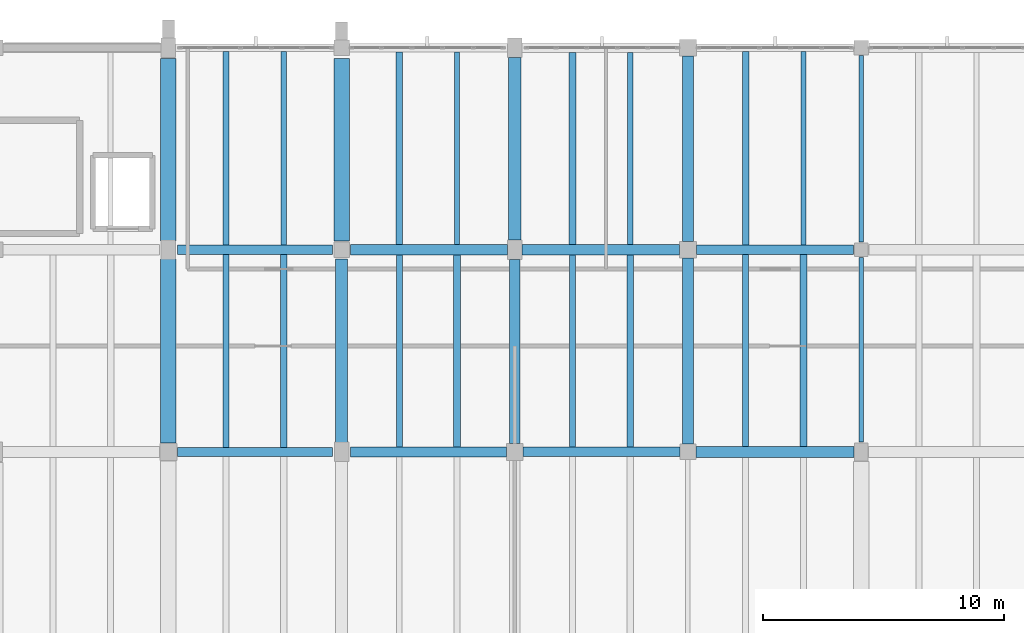
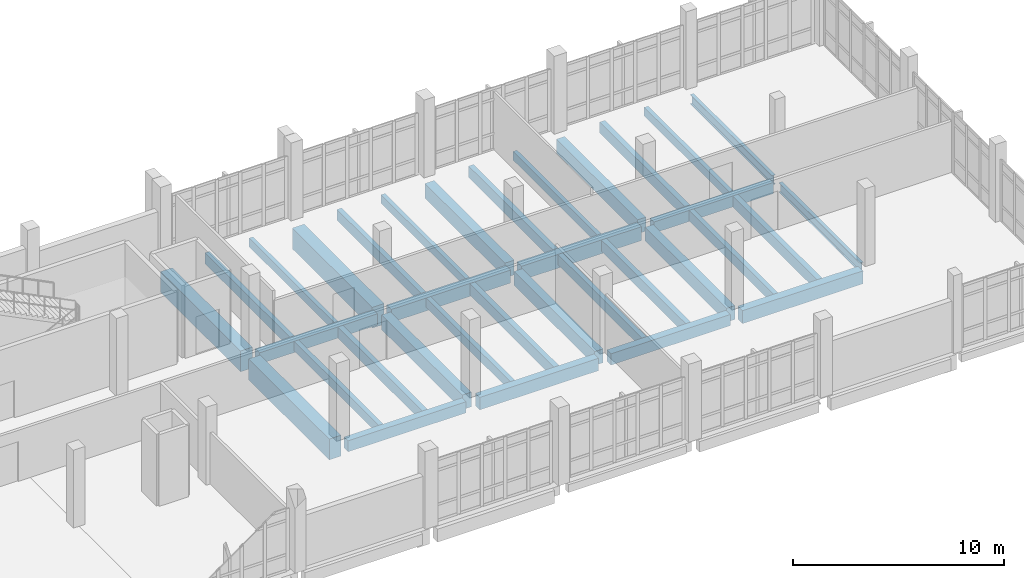
# One storey, part 53 of 87: 34 beams.
"""IFC4 building model written with IfcOpenShell, lengths in metres."""

import ifcopenshell
import ifcopenshell.guid

model = None  # the IFC model being written
_history = None  # IfcOwnerHistory: only IFC2X3 demands one
_inside = {}  # id of a spatial element -> (the spatial element, [elements in it])
_under = {}  # id of a project, library or spatial element -> (it, [spatial elements below it])
_declared = {}  # id of a project -> (the project, [libraries it declares])
_typed = {}  # id of a type object -> (the type object, [elements of that type])
_made_of = {}  # id of a material, layer set ... -> (it, [elements and type objects made of it])


def new_model(schema):
    """Start an empty IFC model of exactly this schema.

    Asked for "IFC4X3", IfcOpenShell would pick the latest addendum, in which some entities
    have other attributes; the version numbers below select the first issue.
    IFC2X3 requires an IfcOwnerHistory on every rooted entity: one is made here for all.
    """
    global model, _history
    if schema == "IFC4X3":
        model = ifcopenshell.file(schema_version=(4, 3, 0, 0))
    else:
        model = ifcopenshell.file(schema=schema)
    _inside.clear()
    _under.clear()
    _declared.clear()
    _typed.clear()
    _made_of.clear()
    _history = None
    if model.schema == "IFC2X3":
        org = make("IfcOrganization", Name="unknown")
        user = make(
            "IfcPersonAndOrganization",
            ThePerson=make("IfcPerson", FamilyName="unknown"),
            TheOrganization=org,
        )
        app = make(
            "IfcApplication",
            ApplicationDeveloper=org,
            Version="unknown",
            ApplicationFullName="unknown",
            ApplicationIdentifier="unknown",
        )
        _history = make(
            "IfcOwnerHistory",
            OwningUser=user,
            OwningApplication=app,
            ChangeAction="ADDED",
            CreationDate=0,
        )
    return model


def make(cls, **values):
    """One entity of the class cls with the attributes given. An attribute that is None is left unset."""
    return model.create_entity(
        cls, **{name: value for name, value in values.items() if value is not None}
    )


def rooted(cls, **values):
    """An entity with a GlobalId (a new one), such as an element, a storey or a relation."""
    return make(cls, GlobalId=ifcopenshell.guid.new(), OwnerHistory=_history, **values)


def si_unit(unit_type, name, prefix=None):
    """IfcSIUnit, for example si_unit("LENGTHUNIT", "METRE", prefix="MILLI")."""
    return make("IfcSIUnit", UnitType=unit_type, Prefix=prefix, Name=name)


def assignment(units):
    """IfcUnitAssignment: the units of a project."""
    return None if units is None else make("IfcUnitAssignment", Units=units)


def point(xyz):
    """IfcCartesianPoint."""
    return None if xyz is None else make("IfcCartesianPoint", Coordinates=xyz)


def direction(xyz):
    """IfcDirection."""
    return None if xyz is None else make("IfcDirection", DirectionRatios=xyz)


def frame(location, z_axis=None, x_axis=None):
    """IfcAxis2Placement3D, a coordinate frame: its origin and axes. An axis left out is left unset."""
    return make(
        "IfcAxis2Placement3D",
        Location=point(location),
        Axis=direction(z_axis),
        RefDirection=direction(x_axis),
    )


def frame_2d(location, x_axis=None):
    """IfcAxis2Placement2D, a coordinate frame in the plane: its origin and x axis."""
    return make(
        "IfcAxis2Placement2D", Location=point(location), RefDirection=direction(x_axis)
    )


def origin():
    """The frame at (0, 0, 0) with its axes left unset."""
    return frame((0.0, 0.0, 0.0))


def origin_2d():
    """The frame at (0, 0) in the plane with its x axis left unset."""
    return frame_2d((0.0, 0.0))


def place(relative_to, where):
    """IfcLocalPlacement: puts the frame where relative to a parent placement (None: the world)."""
    return make(
        "IfcLocalPlacement", PlacementRelTo=relative_to, RelativePlacement=where
    )


def context(
    kind, dimensions, precision=None, world=None, true_north=None, identifier=None
):
    """IfcGeometricRepresentationContext, for example the 3D "Model" context."""
    return make(
        "IfcGeometricRepresentationContext",
        ContextIdentifier=identifier,
        ContextType=kind,
        CoordinateSpaceDimension=dimensions,
        Precision=precision,
        WorldCoordinateSystem=world,
        TrueNorth=true_north,
    )


def subcontext(parent, identifier, kind, view, scale=None):
    """IfcGeometricRepresentationSubContext, for example "Body" below "Model"."""
    return make(
        "IfcGeometricRepresentationSubContext",
        ContextIdentifier=identifier,
        ContextType=kind,
        ParentContext=parent,
        TargetScale=scale,
        TargetView=view,
    )


def project(units=None, contexts=None):
    """IfcProject with its units and contexts."""
    return rooted(
        "IfcProject",
        Name="project",
        RepresentationContexts=contexts,
        UnitsInContext=assignment(units),
    )


def spatial(cls, under=None, at=None, **own):
    """A site, building, storey or space (cls), placed at a placement, below another one or the project."""
    s = rooted(cls, ObjectPlacement=at, **own)
    if under is not None:
        _under.setdefault(under.id(), (under, []))[1].append(s)
    return s


def profile(cls, at=None, kind="AREA", **sizes):
    """A parametric profile (cls). Its sizes go by their IFC names, for example OverallWidth=200.0."""
    return make(cls, ProfileType=kind, Position=at, **sizes)


def rectangle(**sizes):
    """IfcRectangleProfileDef."""
    return profile("IfcRectangleProfileDef", **sizes)


def i_section(**sizes):
    """IfcIShapeProfileDef."""
    return profile("IfcIShapeProfileDef", **sizes)


def extrude(swept, where, along, depth):
    """IfcExtrudedAreaSolid: the profile swept, set in the frame where, extruded along a direction by depth."""
    return make(
        "IfcExtrudedAreaSolid",
        SweptArea=swept,
        Position=where,
        ExtrudedDirection=direction(along),
        Depth=depth,
    )


def shape(context_of_items, identifier, shape_type, items):
    """IfcShapeRepresentation: the items that make up one representation, for example the "Body"."""
    return make(
        "IfcShapeRepresentation",
        ContextOfItems=context_of_items,
        RepresentationIdentifier=identifier,
        RepresentationType=shape_type,
        Items=items,
    )


def material(Name=None, Category=None):
    """IfcMaterial."""
    return make("IfcMaterial", Name=Name, Category=Category)


def material_profile(
    of_material, cross_section, Name=None, Category=None, Priority=None
):
    """IfcMaterialProfile: a cross section and its material."""
    return make(
        "IfcMaterialProfile",
        Name=Name,
        Material=of_material,
        Profile=cross_section,
        Priority=Priority,
        Category=Category,
    )


def profile_set(profiles, Name=None, composite=None):
    """IfcMaterialProfileSet."""
    return make(
        "IfcMaterialProfileSet",
        Name=Name,
        MaterialProfiles=profiles,
        CompositeProfile=composite,
    )


def made_of(thing, what):
    """Note that an element or type object is made of a material, layer set ...; save() writes the relation."""
    if what is not None:
        _made_of.setdefault(what.id(), (what, []))[1].append(thing)
    return thing


def type_object(cls, material=None, **own):
    """A type object (cls), such as IfcWallType, which elements share."""
    return made_of(rooted(cls, **own), material)


def element(
    cls,
    number,
    at=None,
    inside=None,
    cuts=None,
    type_object=None,
    material=None,
    context=None,
    identifier="Body",
    shape_type=None,
    held_by="IfcProductDefinitionShape",
    body=None,
    shapes=None,
    **own,
):
    """One element of the class cls, such as IfcWall. Its Tag is "e" and its number.

    at: its placement. inside: the storey or other place that contains it. cuts: it is an
    opening in that element (IfcRelVoidsElement). A single representation is given by context,
    identifier, shape_type and body (its items); several are given by shapes. held_by: the class
    of the entity that holds the representations. save() writes the other relations.
    """
    e = rooted(cls, Tag="e%d" % number, ObjectPlacement=at, **own)
    if body is not None:
        shapes = [shape(context, identifier, shape_type, body)]
    if shapes is not None:
        e.Representation = make(held_by, Representations=shapes)
    if inside is not None:
        _inside.setdefault(inside.id(), (inside, []))[1].append(e)
    if cuts is not None:
        rooted(
            "IfcRelVoidsElement", RelatingBuildingElement=cuts, RelatedOpeningElement=e
        )
    if type_object is not None:
        _typed.setdefault(type_object.id(), (type_object, []))[1].append(e)
    return made_of(e, material)


def aggregate(whole, parts):
    """IfcRelAggregates: a whole, such as a stair, and the parts it consists of."""
    return rooted("IfcRelAggregates", RelatingObject=whole, RelatedObjects=parts)


def save(model, path):
    """Write the relations noted so far, then the file.

    IfcRelAggregates (storeys below a building ...), IfcRelContainedInSpatialStructure (elements
    in a storey), IfcRelDefinesByType, IfcRelAssociatesMaterial and IfcRelDeclares: one each for
    every whole, place, type object, material and project.
    """
    for whole, parts in _under.values():
        aggregate(whole, parts)
    for where, things in _inside.values():
        rooted(
            "IfcRelContainedInSpatialStructure",
            RelatedElements=things,
            RelatingStructure=where,
        )
    for kind, things in _typed.values():
        rooted("IfcRelDefinesByType", RelatedObjects=things, RelatingType=kind)
    for what, things in _made_of.values():
        rooted("IfcRelAssociatesMaterial", RelatedObjects=things, RelatingMaterial=what)
    for by, libraries in _declared.values():
        rooted("IfcRelDeclares", RelatingContext=by, RelatedDefinitions=libraries)
    model.write(path)


model = new_model("IFC4")

# Units and contexts
model_context = context("Model", 3, precision=1e-05, world=origin(), true_north=direction((0.0, 1.0)))
body_context = subcontext(model_context, "Body", "Model", "MODEL_VIEW")
ifc_project = project(units=[si_unit("LENGTHUNIT", "METRE"), si_unit("AREAUNIT", "SQUARE_METRE"), si_unit("VOLUMEUNIT", "CUBIC_METRE"), si_unit("PLANEANGLEUNIT", "RADIAN"), si_unit("MASSUNIT", "GRAM", prefix="KILO")], contexts=[model_context])

# Site, building, storey
site_placement = place(None, origin())
site = spatial("IfcSite", under=ifc_project, at=site_placement, CompositionType="ELEMENT")
building_placement = place(site_placement, origin())
building = spatial("IfcBuilding", under=site, at=building_placement, Name="Kalluvel Institute of Natural Sciences", CompositionType="ELEMENT")
storey_placement = place(building_placement, frame((0.0, 0.0, 18.89990234375)))
storey = spatial("IfcBuildingStorey", under=building, at=storey_placement, Name="L04", CompositionType="ELEMENT", Elevation=18.89990234375)

# Beams
ifc_material_1 = material(Name="Steel E350 Grade 350", Category="steel")
ifc_material_profile_1 = material_profile(ifc_material_1, i_section(OverallWidth=0.18994140625, OverallDepth=0.550048828125, WebThickness=0.01123046875, FlangeThickness=0.019287109375, FilletRadius=0.01806640625, at=origin_2d()), Name="ISMB 550")
ifc_profile_set_1 = profile_set([ifc_material_profile_1], Name="Steel E350 Grade 350")
beam_type_1 = type_object("IfcBeamType", Name="BM-ISMB550", PredefinedType="BEAM", material=ifc_profile_set_1)
beam_1_placement = place(storey_placement, frame((107.60009765625, 111.60009765625, -0.594970703125), z_axis=(0.0, 1.0, 0.0), x_axis=(-1.0, 0.0, 0.0)))
element("IfcBeam", 1, at=beam_1_placement, inside=storey, type_object=beam_type_1, Name="L04 girder GIR-L04-NS-X1076-Y1112", PredefinedType="BEAM", context=body_context, shape_type="SweptSolid", body=[
    extrude(i_section(OverallWidth=0.18994140625, OverallDepth=0.550048828125, WebThickness=0.01123046875, FlangeThickness=0.019287109375, FilletRadius=0.01806640625, at=origin_2d()), origin(), (0.0, 0.0, 1.0), 7.6748046875),
])
beam_2_placement = place(storey_placement, frame((107.60009765625, 119.925048828125, -0.594970703125), z_axis=(0.0, 1.0, 0.0), x_axis=(-1.0, 0.0, 0.0)))
element("IfcBeam", 2, at=beam_2_placement, inside=storey, type_object=beam_type_1, Name="L04 girder GIR-L04-NS-X1076-Y1196", PredefinedType="BEAM", context=body_context, shape_type="SweptSolid", body=[
    extrude(i_section(OverallWidth=0.18994140625, OverallDepth=0.550048828125, WebThickness=0.01123046875, FlangeThickness=0.019287109375, FilletRadius=0.01806640625, at=origin_2d()), origin(), (0.0, 0.0, 1.0), 7.75),
])
ifc_material_2 = material(Name="Concrete M40", Category="concrete")
ifc_material_profile_2 = material_profile(ifc_material_2, rectangle(XDim=0.3798828125, YDim=0.639892578125, at=origin_2d()), Name="RCB 380x640")
ifc_profile_set_2 = profile_set([ifc_material_profile_2], Name="Concrete M40")
beam_type_2 = type_object("IfcBeamType", Name="BM-RC380x640", PredefinedType="BEAM", material=ifc_profile_set_2)
beam_3_placement = place(storey_placement, frame((79.175048828125, 111.199951171875, -0.639892578125), z_axis=(1.0, 0.0, 0.0), x_axis=(0.0, 1.0, 0.0)))
element("IfcBeam", 3, at=beam_3_placement, inside=storey, type_object=beam_type_2, Name="L04 girder GIR-L04-EW-X788-Y1112", PredefinedType="BEAM", context=body_context, shape_type="SweptSolid", body=[
    extrude(rectangle(XDim=0.3798828125, YDim=0.639892578125, at=origin_2d()), origin(), (0.0, 0.0, 1.0), 6.449951171875),
])
beam_4_placement = place(storey_placement, frame((100.75, 119.60009765625, -0.639892578125), z_axis=(1.0, 0.0, 0.0), x_axis=(0.0, 1.0, 0.0)))
element("IfcBeam", 4, at=beam_4_placement, inside=storey, type_object=beam_type_2, Name="L04 girder GIR-L04-EW-X1004-Y1196", PredefinedType="BEAM", context=body_context, shape_type="SweptSolid", body=[
    extrude(rectangle(XDim=0.3798828125, YDim=0.639892578125, at=origin_2d()), origin(), (0.0, 0.0, 1.0), 6.52490234375),
])
ifc_material_profile_3 = material_profile(ifc_material_2, rectangle(XDim=0.39990234375, YDim=0.64990234375, at=origin_2d()), Name="RCB 400x650")
ifc_profile_set_3 = profile_set([ifc_material_profile_3], Name="Concrete M40")
beam_type_3 = type_object("IfcBeamType", Name="BM-RC400x650", PredefinedType="BEAM", material=ifc_profile_set_3)
beam_5_placement = place(storey_placement, frame((93.550048828125, 111.199951171875, -0.64501953125), z_axis=(1.0, 0.0, 0.0), x_axis=(0.0, 1.0, 0.0)))
element("IfcBeam", 5, at=beam_5_placement, inside=storey, type_object=beam_type_3, Name="L04 girder GIR-L04-EW-X932-Y1112", PredefinedType="BEAM", context=body_context, shape_type="SweptSolid", body=[
    extrude(rectangle(XDim=0.39990234375, YDim=0.64990234375, at=origin_2d()), origin(), (0.0, 0.0, 1.0), 6.52490234375),
])
beam_6_placement = place(storey_placement, frame((79.175048828125, 119.60009765625, -0.64501953125), z_axis=(1.0, 0.0, 0.0), x_axis=(0.0, 1.0, 0.0)))
element("IfcBeam", 6, at=beam_6_placement, inside=storey, type_object=beam_type_3, Name="L04 girder GIR-L04-EW-X788-Y1196", PredefinedType="BEAM", context=body_context, shape_type="SweptSolid", body=[
    extrude(rectangle(XDim=0.39990234375, YDim=0.64990234375, at=origin_2d()), origin(), (0.0, 0.0, 1.0), 6.449951171875),
])
ifc_material_profile_4 = material_profile(ifc_material_2, rectangle(XDim=0.419921875, YDim=0.719970703125, at=origin_2d()), Name="RCB 420x720")
ifc_profile_set_4 = profile_set([ifc_material_profile_4], Name="Concrete M40")
beam_type_4 = type_object("IfcBeamType", Name="BM-RC420x720", PredefinedType="BEAM", material=ifc_profile_set_4)
beam_7_placement = place(storey_placement, frame((86.375, 111.199951171875, -0.679931640625), z_axis=(1.0, 0.0, 0.0), x_axis=(0.0, 1.0, 0.0)))
element("IfcBeam", 7, at=beam_7_placement, inside=storey, type_object=beam_type_4, Name="L04 girder GIR-L04-EW-X860-Y1112", PredefinedType="BEAM", context=body_context, shape_type="SweptSolid", body=[
    extrude(rectangle(XDim=0.419921875, YDim=0.719970703125, at=origin_2d()), origin(), (0.0, 0.0, 1.0), 6.47509765625),
])
ifc_material_profile_5 = material_profile(ifc_material_2, rectangle(XDim=0.449951171875, YDim=0.75, at=origin_2d()), Name="RCB 450x750")
ifc_profile_set_5 = profile_set([ifc_material_profile_5], Name="Concrete M40")
beam_type_5 = type_object("IfcBeamType", Name="BM-RC450x750", PredefinedType="BEAM", material=ifc_profile_set_5)
beam_8_placement = place(storey_placement, frame((100.72509765625, 111.199951171875, -0.69482421875), z_axis=(1.0, 0.0, 0.0), x_axis=(0.0, 1.0, 0.0)))
element("IfcBeam", 8, at=beam_8_placement, inside=storey, type_object=beam_type_5, Name="L04 girder GIR-L04-EW-X1004-Y1112", PredefinedType="BEAM", context=body_context, shape_type="SweptSolid", body=[
    extrude(rectangle(XDim=0.449951171875, YDim=0.75, at=origin_2d()), origin(), (0.0, 0.0, 1.0), 6.574951171875),
])
beam_9_placement = place(storey_placement, frame((86.375, 119.60009765625, -0.69482421875), z_axis=(1.0, 0.0, 0.0), x_axis=(0.0, 1.0, 0.0)))
element("IfcBeam", 9, at=beam_9_placement, inside=storey, type_object=beam_type_5, Name="L04 girder GIR-L04-EW-X860-Y1196", PredefinedType="BEAM", context=body_context, shape_type="SweptSolid", body=[
    extrude(rectangle(XDim=0.449951171875, YDim=0.75, at=origin_2d()), origin(), (0.0, 0.0, 1.0), 6.52490234375),
])
ifc_material_profile_6 = material_profile(ifc_material_2, rectangle(XDim=0.449951171875, YDim=0.800048828125, at=origin_2d()), Name="RCB 450x800")
ifc_profile_set_6 = profile_set([ifc_material_profile_6], Name="Concrete M40")
beam_type_6 = type_object("IfcBeamType", Name="BM-RC450x800", PredefinedType="BEAM", material=ifc_profile_set_6)
beam_10_placement = place(storey_placement, frame((93.5, 119.60009765625, -0.719970703125), z_axis=(1.0, 0.0, 0.0), x_axis=(0.0, 1.0, 0.0)))
element("IfcBeam", 10, at=beam_10_placement, inside=storey, type_object=beam_type_6, Name="L04 girder GIR-L04-EW-X932-Y1196", PredefinedType="BEAM", context=body_context, shape_type="SweptSolid", body=[
    extrude(rectangle(XDim=0.449951171875, YDim=0.800048828125, at=origin_2d()), origin(), (0.0, 0.0, 1.0), 6.550048828125),
])
beam_11_placement = place(storey_placement, frame((93.199951171875, 111.550048828125, -0.719970703125), z_axis=(0.0, 1.0, 0.0), x_axis=(-1.0, 0.0, 0.0)))
element("IfcBeam", 11, at=beam_11_placement, inside=storey, type_object=beam_type_6, Name="L04 girder GIR-L04-NS-X932-Y1112", PredefinedType="BEAM", context=body_context, shape_type="SweptSolid", body=[
    extrude(rectangle(XDim=0.449951171875, YDim=0.800048828125, at=origin_2d()), origin(), (0.0, 0.0, 1.0), 7.64990234375),
])
beam_12_placement = place(storey_placement, frame((100.39990234375, 111.52490234375, -0.719970703125), z_axis=(0.0, 1.0, 0.0), x_axis=(-1.0, 0.0, 0.0)))
element("IfcBeam", 12, at=beam_12_placement, inside=storey, type_object=beam_type_6, Name="L04 girder GIR-L04-NS-X1004-Y1112", PredefinedType="BEAM", context=body_context, shape_type="SweptSolid", body=[
    extrude(rectangle(XDim=0.449951171875, YDim=0.800048828125, at=origin_2d()), origin(), (0.0, 0.0, 1.0), 7.72509765625),
])
beam_13_placement = place(storey_placement, frame((100.39990234375, 119.949951171875, -0.719970703125), z_axis=(0.0, 1.0, 0.0), x_axis=(-1.0, 0.0, 0.0)))
element("IfcBeam", 13, at=beam_13_placement, inside=storey, type_object=beam_type_6, Name="L04 girder GIR-L04-NS-X1004-Y1196", PredefinedType="BEAM", context=body_context, shape_type="SweptSolid", body=[
    extrude(rectangle(XDim=0.449951171875, YDim=0.800048828125, at=origin_2d()), origin(), (0.0, 0.0, 1.0), 7.699951171875),
])
ifc_material_3 = material(Name="Concrete M50", Category="concrete")
ifc_material_profile_7 = material_profile(ifc_material_3, rectangle(XDim=0.5, YDim=0.85009765625, at=origin_2d()), Name="RCB 500x850")
ifc_profile_set_7 = profile_set([ifc_material_profile_7], Name="Concrete M50")
beam_type_7 = type_object("IfcBeamType", Name="BM-RC500x850", PredefinedType="BEAM", material=ifc_profile_set_7)
beam_14_placement = place(storey_placement, frame((86.0, 111.574951171875, -0.744873046875), z_axis=(0.0, 1.0, 0.0), x_axis=(-1.0, 0.0, 0.0)))
element("IfcBeam", 14, at=beam_14_placement, inside=storey, type_object=beam_type_7, Name="L04 girder GIR-L04-NS-X860-Y1112", PredefinedType="BEAM", context=body_context, shape_type="SweptSolid", body=[
    extrude(rectangle(XDim=0.5, YDim=0.85009765625, at=origin_2d()), origin(), (0.0, 0.0, 1.0), 7.650146484375),
])
beam_15_placement = place(storey_placement, frame((93.199951171875, 120.0, -0.744873046875), z_axis=(0.0, 1.0, 0.0), x_axis=(-1.0, 0.0, 0.0)))
element("IfcBeam", 15, at=beam_15_placement, inside=storey, type_object=beam_type_7, Name="L04 girder GIR-L04-NS-X932-Y1196", PredefinedType="BEAM", context=body_context, shape_type="SweptSolid", body=[
    extrude(rectangle(XDim=0.5, YDim=0.85009765625, at=origin_2d()), origin(), (0.0, 0.0, 1.0), 7.60009765625),
])
ifc_material_profile_8 = material_profile(ifc_material_3, rectangle(XDim=0.64990234375, YDim=1.199951171875, at=origin_2d()), Name="RCB 650x1200")
ifc_profile_set_8 = profile_set([ifc_material_profile_8], Name="Concrete M50")
beam_type_8 = type_object("IfcBeamType", Name="BM-RC650x1200", PredefinedType="BEAM", material=ifc_profile_set_8)
beam_16_placement = place(storey_placement, frame((78.800048828125, 111.574951171875, -0.919921875), z_axis=(0.0, 1.0, 0.0), x_axis=(-1.0, 0.0, 0.0)))
element("IfcBeam", 16, at=beam_16_placement, inside=storey, type_object=beam_type_8, Name="L04 girder GIR-L04-NS-X788-Y1112", PredefinedType="BEAM", context=body_context, shape_type="SweptSolid", body=[
    extrude(rectangle(XDim=0.64990234375, YDim=1.199951171875, at=origin_2d()), origin(), (0.0, 0.0, 1.0), 7.650146484375),
])
for number, where, z_axis, x_axis, name in (
    (17, (78.800048828125, 119.97509765625, -0.919921875), (0.0, 1.0, 0.0), (-1.0, 0.0, 0.0), "L04 girder GIR-L04-NS-X788-Y1196"),
    (18, (86.0, 119.97509765625, -0.919921875), (0.0, 1.0, 0.0), (-1.0, 0.0, 0.0), "L04 girder GIR-L04-NS-X860-Y1196"),
):
    element("IfcBeam", number, at=place(storey_placement, frame(where, z_axis=z_axis, x_axis=x_axis)), inside=storey, type_object=beam_type_8, Name=name, PredefinedType="BEAM", context=body_context, shape_type="SweptSolid", body=[
        extrude(rectangle(XDim=0.64990234375, YDim=1.199951171875, at=origin_2d()), origin(), (0.0, 0.0, 1.0), 7.574951171875),
    ])
ifc_material_profile_9 = material_profile(ifc_material_2, rectangle(XDim=0.219970703125, YDim=0.5, at=origin_2d()), Name="WAF 220x500")
ifc_profile_set_9 = profile_set([ifc_material_profile_9], Name="Concrete M40")
beam_type_9 = type_object("IfcBeamType", Name="WJ-220x500", PredefinedType="JOIST", material=ifc_profile_set_9)
beam_17_placement = place(storey_placement, frame((83.60009765625, 119.800048828125, -0.56982421875), z_axis=(0.0, 1.0, 0.0), x_axis=(-1.0, 0.0, 0.0)))
element("IfcBeam", 19, at=beam_17_placement, inside=storey, type_object=beam_type_9, Name="L04 waffle joist RIB-L04-0343", PredefinedType="JOIST", context=body_context, shape_type="SweptSolid", body=[
    extrude(rectangle(XDim=0.219970703125, YDim=0.5, at=origin_2d()), origin(), (0.0, 0.0, 1.0), 8.050048828125),
])
beam_18_placement = place(storey_placement, frame((90.800048828125, 119.824951171875, -0.56982421875), z_axis=(0.0, 1.0, 0.0), x_axis=(-1.0, 0.0, 0.0)))
element("IfcBeam", 20, at=beam_18_placement, inside=storey, type_object=beam_type_9, Name="L04 waffle joist RIB-L04-0349", PredefinedType="JOIST", context=body_context, shape_type="SweptSolid", body=[
    extrude(rectangle(XDim=0.219970703125, YDim=0.5, at=origin_2d()), origin(), (0.0, 0.0, 1.0), 8.0),
])
beam_19_placement = place(storey_placement, frame((98.0, 119.824951171875, -0.56982421875), z_axis=(0.0, 1.0, 0.0), x_axis=(-1.0, 0.0, 0.0)))
element("IfcBeam", 21, at=beam_19_placement, inside=storey, type_object=beam_type_9, Name="L04 waffle joist RIB-L04-0355", PredefinedType="JOIST", context=body_context, shape_type="SweptSolid", body=[
    extrude(rectangle(XDim=0.219970703125, YDim=0.5, at=origin_2d()), origin(), (0.0, 0.0, 1.0), 7.97509765625),
])
beam_20_placement = place(storey_placement, frame((105.199951171875, 119.7900390625, -0.56982421875), z_axis=(0.0, 1.0, 0.0), x_axis=(-1.0, 0.0, 0.0)))
element("IfcBeam", 22, at=beam_20_placement, inside=storey, type_object=beam_type_9, Name="L04 waffle joist RIB-L04-0361", PredefinedType="JOIST", context=body_context, shape_type="SweptSolid", body=[
    extrude(rectangle(XDim=0.219970703125, YDim=0.5, at=origin_2d()), origin(), (0.0, 0.0, 1.0), 8.06005859375),
])
ifc_material_profile_10 = material_profile(ifc_material_2, rectangle(XDim=0.25, YDim=0.550048828125, at=origin_2d()), Name="WAF 250x550")
ifc_profile_set_10 = profile_set([ifc_material_profile_10], Name="Concrete M40")
beam_type_10 = type_object("IfcBeamType", Name="WJ-250x550", PredefinedType="JOIST", material=ifc_profile_set_10)
beam_21_placement = place(storey_placement, frame((81.199951171875, 111.389892578125, -0.594970703125), z_axis=(0.0, 1.0, 0.0), x_axis=(-1.0, 0.0, 0.0)))
element("IfcBeam", 23, at=beam_21_placement, inside=storey, type_object=beam_type_10, Name="L04 waffle joist RIB-L04-0340", PredefinedType="JOIST", context=body_context, shape_type="SweptSolid", body=[
    extrude(rectangle(XDim=0.25, YDim=0.550048828125, at=origin_2d()), origin(), (0.0, 0.0, 1.0), 8.010009765625),
])
beam_22_placement = place(storey_placement, frame((88.39990234375, 111.409912109375, -0.594970703125), z_axis=(0.0, 1.0, 0.0), x_axis=(-1.0, 0.0, 0.0)))
element("IfcBeam", 24, at=beam_22_placement, inside=storey, type_object=beam_type_10, Name="L04 waffle joist RIB-L04-0346", PredefinedType="JOIST", context=body_context, shape_type="SweptSolid", body=[
    extrude(rectangle(XDim=0.25, YDim=0.550048828125, at=origin_2d()), origin(), (0.0, 0.0, 1.0), 7.965087890625),
])
ifc_material_profile_11 = material_profile(ifc_material_2, rectangle(XDim=0.25, YDim=0.60009765625, at=origin_2d()), Name="WAF 250x600")
ifc_profile_set_11 = profile_set([ifc_material_profile_11], Name="Concrete M40")
beam_type_11 = type_object("IfcBeamType", Name="WJ-250x600", PredefinedType="JOIST", material=ifc_profile_set_11)
beam_23_placement = place(storey_placement, frame((95.60009765625, 111.39990234375, -0.619873046875), z_axis=(0.0, 1.0, 0.0), x_axis=(-1.0, 0.0, 0.0)))
element("IfcBeam", 25, at=beam_23_placement, inside=storey, type_object=beam_type_11, Name="L04 waffle joist RIB-L04-0352", PredefinedType="JOIST", context=body_context, shape_type="SweptSolid", body=[
    extrude(rectangle(XDim=0.25, YDim=0.60009765625, at=origin_2d()), origin(), (0.0, 0.0, 1.0), 7.97509765625),
])
beam_24_placement = place(storey_placement, frame((102.800048828125, 111.425048828125, -0.619873046875), z_axis=(0.0, 1.0, 0.0), x_axis=(-1.0, 0.0, 0.0)))
element("IfcBeam", 26, at=beam_24_placement, inside=storey, type_object=beam_type_11, Name="L04 waffle joist RIB-L04-0358", PredefinedType="JOIST", context=body_context, shape_type="SweptSolid", body=[
    extrude(rectangle(XDim=0.25, YDim=0.60009765625, at=origin_2d()), origin(), (0.0, 0.0, 1.0), 7.98486328125),
])
ifc_material_profile_12 = material_profile(ifc_material_3, rectangle(XDim=0.260009765625, YDim=0.6201171875, at=origin_2d()), Name="WAF 260x620")
ifc_profile_set_12 = profile_set([ifc_material_profile_12], Name="Concrete M50")
beam_type_12 = type_object("IfcBeamType", Name="WJ-260x620", PredefinedType="JOIST", material=ifc_profile_set_12)
beam_25_placement = place(storey_placement, frame((81.199951171875, 119.800048828125, -0.6298828125), z_axis=(0.0, 1.0, 0.0), x_axis=(-1.0, 0.0, 0.0)))
element("IfcBeam", 27, at=beam_25_placement, inside=storey, type_object=beam_type_12, Name="L04 waffle joist RIB-L04-0342", PredefinedType="JOIST", context=body_context, shape_type="SweptSolid", body=[
    extrude(rectangle(XDim=0.260009765625, YDim=0.6201171875, at=origin_2d()), origin(), (0.0, 0.0, 1.0), 8.050048828125),
])
beam_26_placement = place(storey_placement, frame((88.39990234375, 119.824951171875, -0.6298828125), z_axis=(0.0, 1.0, 0.0), x_axis=(-1.0, 0.0, 0.0)))
element("IfcBeam", 28, at=beam_26_placement, inside=storey, type_object=beam_type_12, Name="L04 waffle joist RIB-L04-0348", PredefinedType="JOIST", context=body_context, shape_type="SweptSolid", body=[
    extrude(rectangle(XDim=0.260009765625, YDim=0.6201171875, at=origin_2d()), origin(), (0.0, 0.0, 1.0), 8.0),
])
ifc_material_profile_13 = material_profile(ifc_material_3, rectangle(XDim=0.280029296875, YDim=0.64990234375, at=origin_2d()), Name="WAF 280x650")
ifc_profile_set_13 = profile_set([ifc_material_profile_13], Name="Concrete M50")
beam_type_13 = type_object("IfcBeamType", Name="WJ-280x650", PredefinedType="JOIST", material=ifc_profile_set_13)
beam_27_placement = place(storey_placement, frame((83.60009765625, 111.389892578125, -0.64501953125), z_axis=(0.0, 1.0, 0.0), x_axis=(-1.0, 0.0, 0.0)))
element("IfcBeam", 29, at=beam_27_placement, inside=storey, type_object=beam_type_13, Name="L04 waffle joist RIB-L04-0341", PredefinedType="JOIST", context=body_context, shape_type="SweptSolid", body=[
    extrude(rectangle(XDim=0.280029296875, YDim=0.64990234375, at=origin_2d()), origin(), (0.0, 0.0, 1.0), 8.010009765625),
])
beam_28_placement = place(storey_placement, frame((90.800048828125, 111.409912109375, -0.64501953125), z_axis=(0.0, 1.0, 0.0), x_axis=(-1.0, 0.0, 0.0)))
element("IfcBeam", 30, at=beam_28_placement, inside=storey, type_object=beam_type_13, Name="L04 waffle joist RIB-L04-0347", PredefinedType="JOIST", context=body_context, shape_type="SweptSolid", body=[
    extrude(rectangle(XDim=0.280029296875, YDim=0.64990234375, at=origin_2d()), origin(), (0.0, 0.0, 1.0), 7.965087890625),
])
for number, where, z_axis, x_axis, name in (
    (31, (98.0, 111.39990234375, -0.64501953125), (0.0, 1.0, 0.0), (-1.0, 0.0, 0.0), "L04 waffle joist RIB-L04-0353"),
    (32, (95.60009765625, 119.824951171875, -0.64501953125), (0.0, 1.0, 0.0), (-1.0, 0.0, 0.0), "L04 waffle joist RIB-L04-0354"),
):
    element("IfcBeam", number, at=place(storey_placement, frame(where, z_axis=z_axis, x_axis=x_axis)), inside=storey, type_object=beam_type_13, Name=name, PredefinedType="JOIST", context=body_context, shape_type="SweptSolid", body=[
        extrude(rectangle(XDim=0.280029296875, YDim=0.64990234375, at=origin_2d()), origin(), (0.0, 0.0, 1.0), 7.97509765625),
    ])
beam_29_placement = place(storey_placement, frame((105.199951171875, 111.425048828125, -0.64501953125), z_axis=(0.0, 1.0, 0.0), x_axis=(-1.0, 0.0, 0.0)))
element("IfcBeam", 33, at=beam_29_placement, inside=storey, type_object=beam_type_13, Name="L04 waffle joist RIB-L04-0359", PredefinedType="JOIST", context=body_context, shape_type="SweptSolid", body=[
    extrude(rectangle(XDim=0.280029296875, YDim=0.64990234375, at=origin_2d()), origin(), (0.0, 0.0, 1.0), 7.98486328125),
])
beam_30_placement = place(storey_placement, frame((102.800048828125, 119.7900390625, -0.64501953125), z_axis=(0.0, 1.0, 0.0), x_axis=(-1.0, 0.0, 0.0)))
element("IfcBeam", 34, at=beam_30_placement, inside=storey, type_object=beam_type_13, Name="L04 waffle joist RIB-L04-0360", PredefinedType="JOIST", context=body_context, shape_type="SweptSolid", body=[
    extrude(rectangle(XDim=0.280029296875, YDim=0.64990234375, at=origin_2d()), origin(), (0.0, 0.0, 1.0), 8.06005859375),
])

save(model, "model.ifc")
